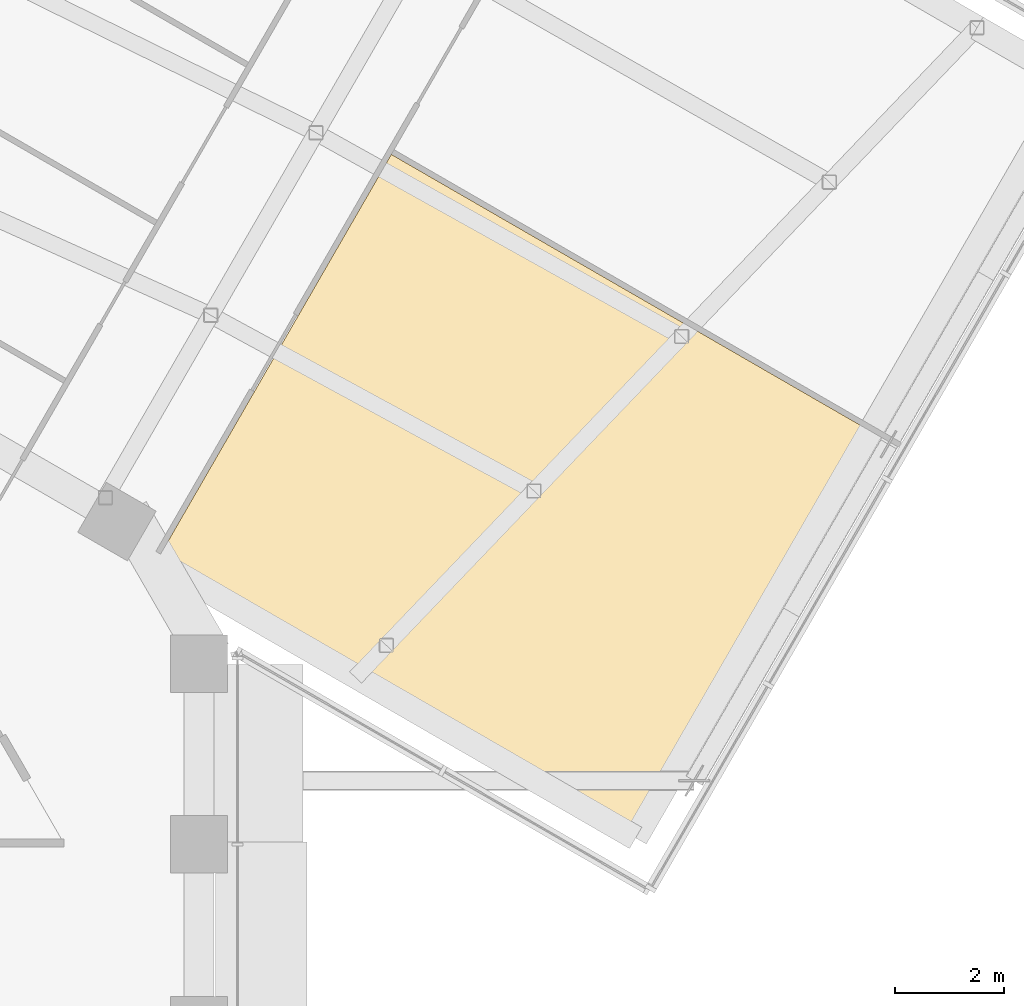
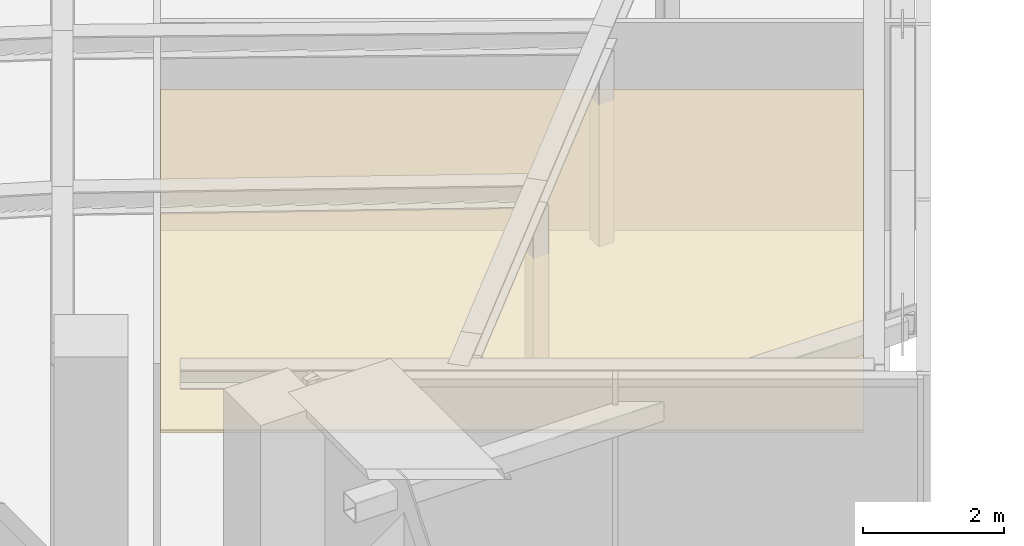
# One storey, part 28 of 28: 1 covering.
"""IFC4 building model written with IfcOpenShell, lengths in metres."""

from ifc_helpers import new_model, si_unit, direction, frame, origin, place, context, subcontext, project, spatial, polyline, outline, extrude, material, layer, layer_set, type_object, element, save


model = new_model("IFC4")

# Units and contexts
model_context = context("Model", 3, precision=1e-05, world=origin(), true_north=direction((0.0, 1.0)))
body_context = subcontext(model_context, "Body", "Model", "MODEL_VIEW")
ifc_project = project(units=[si_unit("LENGTHUNIT", "METRE"), si_unit("AREAUNIT", "SQUARE_METRE"), si_unit("VOLUMEUNIT", "CUBIC_METRE"), si_unit("PLANEANGLEUNIT", "RADIAN"), si_unit("MASSUNIT", "GRAM", prefix="KILO")], contexts=[model_context])

# Site, building, storey
site_placement = place(None, origin())
site = spatial("IfcSite", under=ifc_project, at=site_placement, CompositionType="ELEMENT")
building_placement = place(site_placement, origin())
building = spatial("IfcBuilding", under=site, at=building_placement, Name="Ayvan Gate Tower", CompositionType="ELEMENT")
storey_placement = place(building_placement, frame((0.0, 0.0, 143.89990234375)))
storey = spatial("IfcBuildingStorey", under=building, at=storey_placement, Name="L38", CompositionType="ELEMENT", Elevation=143.89990234375)

# Covering
ifc_material = material(Name="Plasterboard suspended ceiling")
ifc_layer = layer(ifc_material, 0.050048828125)
ifc_layer_set = layer_set([ifc_layer], Name="Plasterboard suspended ceiling")
covering_type = type_object("IfcCoveringType", Name="CT-SUSP-50", PredefinedType="CEILING", material=ifc_layer_set)
covering_placement = place(storey_placement, frame((0.0, 0.0, 2.400146484375)))
element("IfcCovering", 1, at=covering_placement, inside=storey, type_object=covering_type, Name="Ceiling Gym L38", PredefinedType="CEILING", context=body_context, shape_type="SweptSolid", body=[
    extrude(outline(polyline([(23.000244140625, 17.560546875), (31.627197265625, 12.579833984375), (27.410400390625, 5.27587890625), (18.783447265625, 10.256591796875), (23.000244140625, 17.560546875)])), origin(), (0.0, 0.0, 1.0), 0.050048828125),
])

save(model, "model.ifc")
